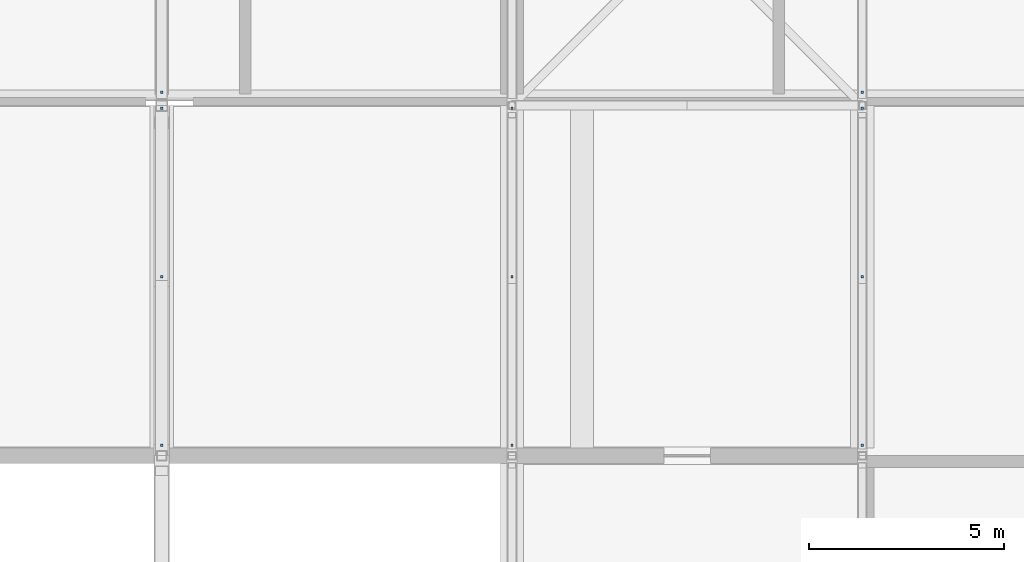
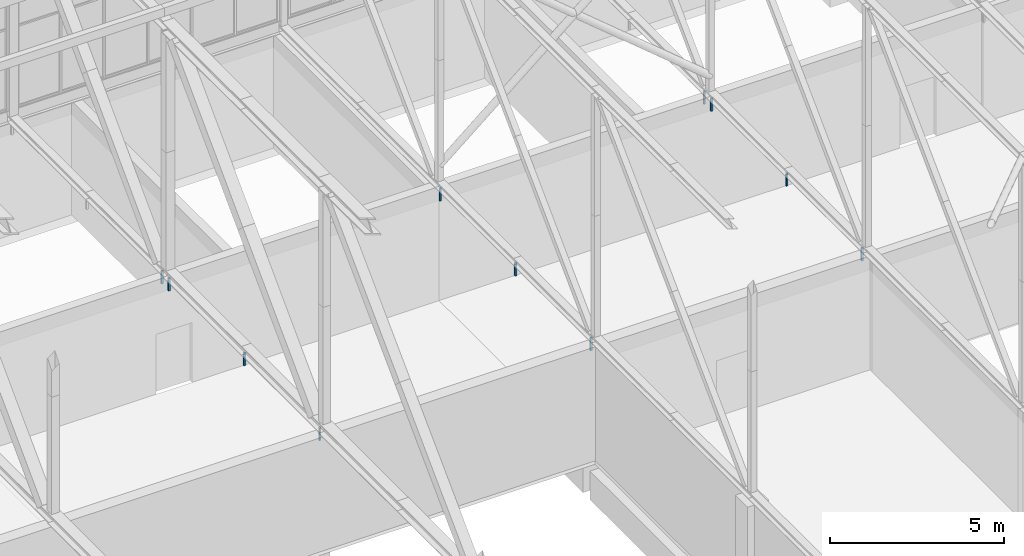
# One storey, part 207 of 646: 11 discrete accessories.
"""IFC4 building model written with IfcOpenShell, lengths in metres."""

from ifc_helpers import new_model, si_unit, direction, frame, origin, origin_2d, place, context, subcontext, project, spatial, rectangle, extrude, material, type_object, element, save


model = new_model("IFC4")

# Units and contexts
model_context = context("Model", 3, precision=1e-05, world=origin(), true_north=direction((0.0, 1.0)))
body_context = subcontext(model_context, "Body", "Model", "MODEL_VIEW")
ifc_project = project(units=[si_unit("LENGTHUNIT", "METRE"), si_unit("AREAUNIT", "SQUARE_METRE"), si_unit("VOLUMEUNIT", "CUBIC_METRE"), si_unit("PLANEANGLEUNIT", "RADIAN"), si_unit("MASSUNIT", "GRAM", prefix="KILO")], contexts=[model_context])

# Site, building, storey
site_placement = place(None, origin())
site = spatial("IfcSite", under=ifc_project, at=site_placement, CompositionType="ELEMENT")
building_placement = place(site_placement, origin())
building = spatial("IfcBuilding", under=site, at=building_placement, Name="Silverbay Arena", CompositionType="ELEMENT")
storey_placement = place(building_placement, frame((0.0, 0.0, 33.5)))
storey = spatial("IfcBuildingStorey", under=building, at=storey_placement, Name="L05", CompositionType="ELEMENT", Elevation=33.5)

# Discrete accessories
ifc_material = material(Name="Steel S355", Category="steel")
discrete_accessory_type = type_object("IfcDiscreteAccessoryType", Name="Ceiling hanger", PredefinedType="BRACKET", material=ifc_material)
for number, where, z_axis, x_axis, name in (
    (1, (153.0, 126.27001953125, 3.5498046875), (0.0, 0.0, 1.0), (1.0, 0.0, 0.0), "Ceiling hanger"),
    (2, (153.0, 130.60009765625, 3.5498046875), (0.0, 0.0, 1.0), (1.0, 0.0, 0.0), "Ceiling hanger"),
    (3, (153.0, 134.929931640625, 3.5498046875), (0.0, 0.0, 1.0), (1.0, 0.0, 0.0), "Ceiling hanger"),
    (4, (162.0, 126.27001953125, 3.5498046875), (0.0, 0.0, 1.0), (1.0, 0.0, 0.0), "Ceiling hanger"),
    (5, (162.0, 130.60009765625, 3.5498046875), (0.0, 0.0, 1.0), (1.0, 0.0, 0.0), "Ceiling hanger"),
    (6, (162.0, 134.929931640625, 3.5498046875), (0.0, 0.0, 1.0), (1.0, 0.0, 0.0), "Ceiling hanger"),
    (7, (171.0, 126.27001953125, 3.5498046875), (0.0, 0.0, 1.0), (1.0, 0.0, 0.0), "Ceiling hanger"),
    (8, (171.0, 130.60009765625, 3.5498046875), (0.0, 0.0, 1.0), (1.0, 0.0, 0.0), "Ceiling hanger"),
    (9, (171.0, 134.929931640625, 3.5498046875), (0.0, 0.0, 1.0), (1.0, 0.0, 0.0), "Ceiling hanger"),
    (10, (153.0, 135.340087890625, 3.5498046875), (0.0, 0.0, 1.0), (1.0, 0.0, 0.0), "Ceiling hanger"),
    (11, (171.0, 135.340087890625, 3.5498046875), (0.0, 0.0, 1.0), (1.0, 0.0, 0.0), "Ceiling hanger"),
):
    element("IfcDiscreteAccessory", number, at=place(storey_placement, frame(where, z_axis=z_axis, x_axis=x_axis)), inside=storey, type_object=discrete_accessory_type, Name=name, PredefinedType="BRACKET", context=body_context, shape_type="SweptSolid", body=[
        extrude(rectangle(XDim=0.06005859375, YDim=0.06005859375, at=origin_2d()), origin(), (0.0, 0.0, 1.0), 0.449951171875),
    ])

save(model, "model.ifc")
